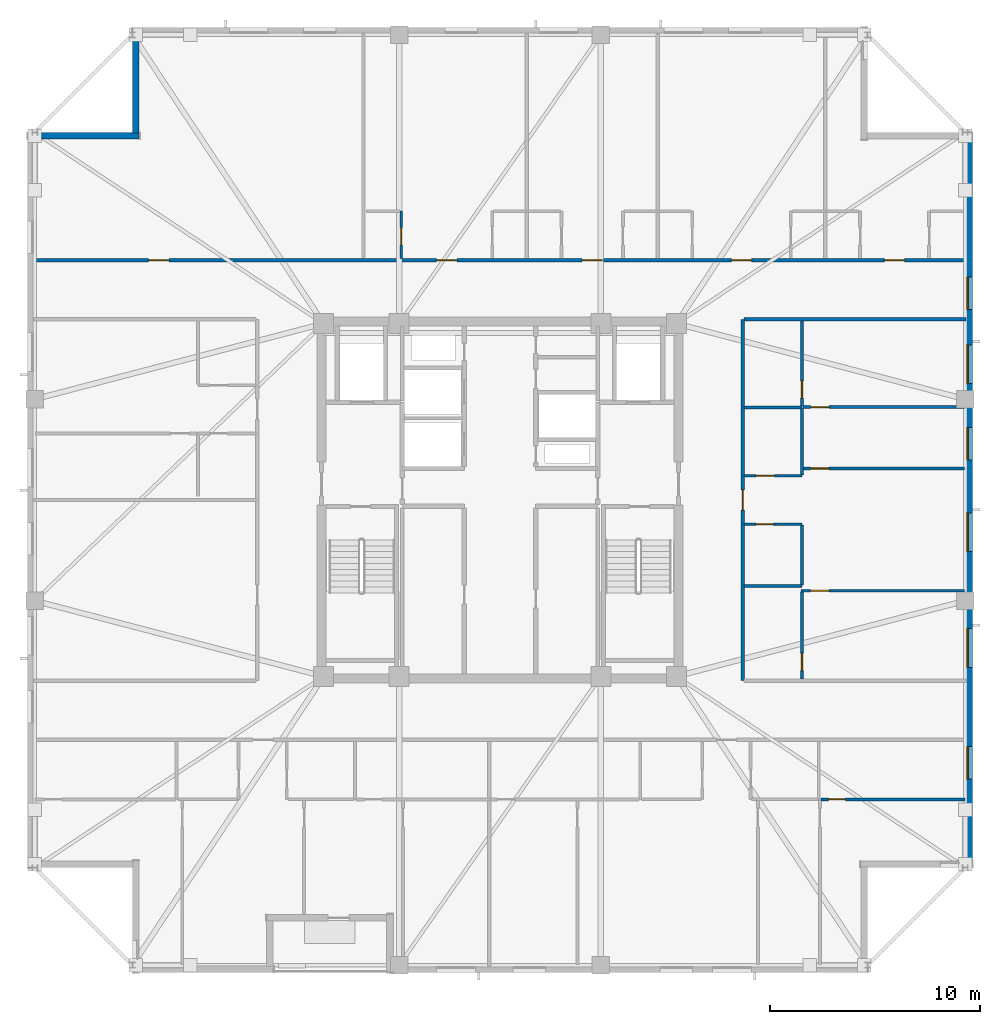
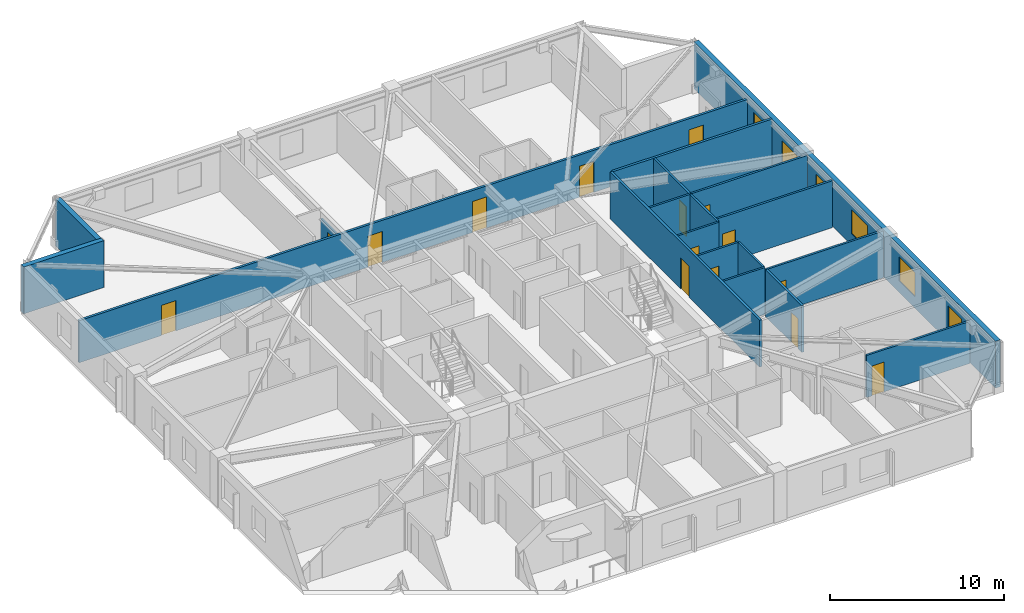
# One storey, part 10 of 15: 19 walls, 15 doors, 6 windows, 21 openings.
"""IFC4 building model written with IfcOpenShell, lengths in metres."""

from ifc_helpers import new_model, si_unit, direction, frame, frame_2d, origin, place, context, subcontext, project, spatial, rectangle, extrude, material, layer, layer_set, type_object, element, fill, save


model = new_model("IFC4")

# Units and contexts
model_context = context("Model", 3, precision=1e-05, world=origin(), true_north=direction((0.0, 1.0)))
body_context = subcontext(model_context, "Body", "Model", "MODEL_VIEW")
ifc_project = project(units=[si_unit("LENGTHUNIT", "METRE"), si_unit("AREAUNIT", "SQUARE_METRE"), si_unit("VOLUMEUNIT", "CUBIC_METRE"), si_unit("PLANEANGLEUNIT", "RADIAN"), si_unit("MASSUNIT", "GRAM", prefix="KILO")], contexts=[model_context])

# Site, building, storey
site_placement = place(None, origin())
site = spatial("IfcSite", under=ifc_project, at=site_placement, CompositionType="ELEMENT")
building_placement = place(site_placement, origin())
building = spatial("IfcBuilding", under=site, at=building_placement, Name="Cairnveth Concourse Tower", CompositionType="ELEMENT")
storey_placement = place(building_placement, frame((0.0, 0.0, 265.5)))
storey = spatial("IfcBuildingStorey", under=building, at=storey_placement, Name="L73", CompositionType="ELEMENT", Elevation=265.5)

# Wall, openings, doors
ifc_material_1 = material(Name="Gypsum Plasterboard Partition", Category="gypsum")
ifc_layer_1 = layer(ifc_material_1, 0.159912109375)
ifc_layer_set_1 = layer_set([ifc_layer_1], Name="Gypsum Plasterboard Partition")
wall_type_1 = type_object("IfcWallType", Name="ACOUSTIC PARTY WALL 180", PredefinedType="PARTITIONING", material=ifc_layer_set_1)
wall_1_placement = place(storey_placement, frame((29.804931640625, 50.422607421875, 0.0), z_axis=(0.0, 0.0, 1.0), x_axis=(1.0, 0.0, 0.0)))
wall_1 = element("IfcWall", 1, at=wall_1_placement, inside=storey, type_object=wall_type_1, Name="Interior Wall IW-L73-035", PredefinedType="PARTITIONING", context=body_context, shape_type="SweptSolid", body=[
    extrude(rectangle(XDim=44.39013671875, YDim=0.159912109375, at=frame_2d((22.195068359375, 0.0))), origin(), (0.0, 0.0, 1.0), 2.9580078125),
])
opening_1_placement = place(wall_1_placement, frame((5.465087890625, 0.0, 0.0)))
opening_1 = element("IfcOpeningElement", 2, at=opening_1_placement, cuts=wall_1, Name="Opening ID11", PredefinedType="OPENING", context=body_context, shape_type="SweptSolid", body=[
    extrude(rectangle(XDim=0.9599609375, YDim=2.1201171875, at=frame_2d((0.47998046875, 1.06005859375))), frame((0.0, 0.08984375, 0.0), z_axis=(0.0, -1.0, 0.0), x_axis=(1.0, 0.0, 0.0)), (0.0, 0.0, 1.0), 0.179931640625),
])
opening_2_placement = place(wall_1_placement, frame((19.1787109375, 0.0, 0.0)))
opening_2 = element("IfcOpeningElement", 3, at=opening_2_placement, cuts=wall_1, Name="Opening ID10", PredefinedType="OPENING", context=body_context, shape_type="SweptSolid", body=[
    extrude(rectangle(XDim=0.9599609375, YDim=2.179931640625, at=frame_2d((0.47998046875, 1.08984375))), frame((0.0, 0.08984375, 0.0), z_axis=(0.0, -1.0, 0.0), x_axis=(1.0, 0.0, 0.0)), (0.0, 0.0, 1.0), 0.179931640625),
])
opening_3_placement = place(wall_1_placement, frame((26.106201171875, 0.0, 0.0)))
opening_3 = element("IfcOpeningElement", 4, at=opening_3_placement, cuts=wall_1, Name="Opening ID10", PredefinedType="OPENING", context=body_context, shape_type="SweptSolid", body=[
    extrude(rectangle(XDim=0.9599609375, YDim=2.179931640625, at=frame_2d((0.47998046875, 1.08984375))), frame((0.0, 0.08984375, 0.0), z_axis=(0.0, -1.0, 0.0), x_axis=(1.0, 0.0, 0.0)), (0.0, 0.0, 1.0), 0.179931640625),
])
opening_4_placement = place(wall_1_placement, frame((33.2138671875, 0.0, 0.0)))
opening_4 = element("IfcOpeningElement", 5, at=opening_4_placement, cuts=wall_1, Name="Opening ID10", PredefinedType="OPENING", context=body_context, shape_type="SweptSolid", body=[
    extrude(rectangle(XDim=0.9599609375, YDim=2.179931640625, at=frame_2d((0.47998046875, 1.08984375))), frame((0.0, 0.08984375, 0.0), z_axis=(0.0, -1.0, 0.0), x_axis=(1.0, 0.0, 0.0)), (0.0, 0.0, 1.0), 0.179931640625),
])
opening_5_placement = place(wall_1_placement, frame((40.501220703125, 0.0, 0.0)))
opening_5 = element("IfcOpeningElement", 6, at=opening_5_placement, cuts=wall_1, Name="Opening ID10", PredefinedType="OPENING", context=body_context, shape_type="SweptSolid", body=[
    extrude(rectangle(XDim=0.9599609375, YDim=2.179931640625, at=frame_2d((0.47998046875, 1.08984375))), frame((0.0, 0.08984375, 0.0), z_axis=(0.0, -1.0, 0.0), x_axis=(1.0, 0.0, 0.0)), (0.0, 0.0, 1.0), 0.179931640625),
])
ifc_material_2 = material(Name="Solid Core Hardwood Timber Leaf", Category="wood")
door_type_1 = type_object("IfcDoorType", Name="FLAT ENTRANCE DOOR 960X2150", OperationType="NOTDEFINED", PredefinedType="DOOR", material=ifc_material_2)
door_1_placement = place(opening_2_placement, origin())
door_1 = element("IfcDoor", 7, at=door_1_placement, inside=storey, type_object=door_type_1, Name="Studio L73STN1 Entrance Door", OperationType="SINGLE_SWING_RIGHT", OverallHeight=2.179931640625, OverallWidth=0.9599609375, PredefinedType="DOOR", context=body_context, shape_type="SweptSolid", body=[
    extrude(rectangle(XDim=0.9599609375, YDim=2.179931640625, at=frame_2d((0.47998046875, 1.08984375))), frame((0.0, 0.02490234375, 0.0), z_axis=(0.0, -1.0, 0.0), x_axis=(1.0, 0.0, 0.0)), (0.0, 0.0, 1.0), 0.050048828125),
])
fill(opening_2, door_1)
door_2_placement = place(opening_3_placement, origin())
door_2 = element("IfcDoor", 8, at=door_2_placement, inside=storey, type_object=door_type_1, Name="Studio L73STN2 Entrance Door", OperationType="SINGLE_SWING_LEFT", OverallHeight=2.179931640625, OverallWidth=0.9599609375, PredefinedType="DOOR", context=body_context, shape_type="SweptSolid", body=[
    extrude(rectangle(XDim=0.9599609375, YDim=2.179931640625, at=frame_2d((0.47998046875, 1.08984375))), frame((0.0, 0.02490234375, 0.0), z_axis=(0.0, -1.0, 0.0), x_axis=(1.0, 0.0, 0.0)), (0.0, 0.0, 1.0), 0.050048828125),
])
fill(opening_3, door_2)
door_3_placement = place(opening_4_placement, origin())
door_3 = element("IfcDoor", 9, at=door_3_placement, inside=storey, type_object=door_type_1, Name="Studio L73STN3 Entrance Door", OperationType="SINGLE_SWING_RIGHT", OverallHeight=2.179931640625, OverallWidth=0.9599609375, PredefinedType="DOOR", context=body_context, shape_type="SweptSolid", body=[
    extrude(rectangle(XDim=0.9599609375, YDim=2.179931640625, at=frame_2d((0.47998046875, 1.08984375))), frame((0.0, 0.02490234375, 0.0), z_axis=(0.0, -1.0, 0.0), x_axis=(1.0, 0.0, 0.0)), (0.0, 0.0, 1.0), 0.050048828125),
])
fill(opening_4, door_3)
door_4_placement = place(opening_5_placement, origin())
door_4 = element("IfcDoor", 10, at=door_4_placement, inside=storey, type_object=door_type_1, Name="Studio L73STN4 Entrance Door", OperationType="SINGLE_SWING_LEFT", OverallHeight=2.179931640625, OverallWidth=0.9599609375, PredefinedType="DOOR", context=body_context, shape_type="SweptSolid", body=[
    extrude(rectangle(XDim=0.9599609375, YDim=2.179931640625, at=frame_2d((0.47998046875, 1.08984375))), frame((0.0, 0.02490234375, 0.0), z_axis=(0.0, -1.0, 0.0), x_axis=(1.0, 0.0, 0.0)), (0.0, 0.0, 1.0), 0.050048828125),
])
fill(opening_5, door_4)
door_type_2 = type_object("IfcDoorType", Name="INTERIOR SINGLE DOOR 960X2150", OperationType="NOTDEFINED", PredefinedType="DOOR", material=ifc_material_2)
door_5_placement = place(opening_1_placement, origin())
door_5 = element("IfcDoor", 11, at=door_5_placement, inside=storey, type_object=door_type_2, Name="Interior Door DR-L73-031", OperationType="SINGLE_SWING_LEFT", OverallHeight=2.1201171875, OverallWidth=0.9599609375, PredefinedType="DOOR", context=body_context, shape_type="SweptSolid", body=[
    extrude(rectangle(XDim=0.9599609375, YDim=2.1201171875, at=frame_2d((0.47998046875, 1.06005859375))), frame((0.0, 0.02490234375, 0.0), z_axis=(0.0, -1.0, 0.0), x_axis=(1.0, 0.0, 0.0)), (0.0, 0.0, 1.0), 0.050048828125),
])
fill(opening_1, door_5)

# Wall, opening, door
wall_2_placement = place(storey_placement, frame((63.550048828125, 30.39990234375, 0.0), z_axis=(0.0, 0.0, 1.0), x_axis=(0.0, 1.0, 0.0)))
wall_2 = element("IfcWall", 12, at=wall_2_placement, inside=storey, type_object=wall_type_1, Name="Interior Wall IW-L73-037", PredefinedType="PARTITIONING", context=body_context, shape_type="SweptSolid", body=[
    extrude(rectangle(XDim=17.2001953125, YDim=0.159912109375, at=frame_2d((8.60009765625, 0.0))), origin(), (0.0, 0.0, 1.0), 3.2900390625),
])
opening_6_placement = place(wall_2_placement, frame((8.1201171875, 0.0, 0.0)))
opening_6 = element("IfcOpeningElement", 13, at=opening_6_placement, cuts=wall_2, Name="Opening ID10", PredefinedType="OPENING", context=body_context, shape_type="SweptSolid", body=[
    extrude(rectangle(XDim=0.9599609375, YDim=2.179931640625, at=frame_2d((0.47998046875, 1.08984375))), frame((0.0, 0.08984375, 0.0), z_axis=(0.0, -1.0, 0.0), x_axis=(1.0, 0.0, 0.0)), (0.0, 0.0, 1.0), 0.179931640625),
])
door_6_placement = place(opening_6_placement, origin())
door_6 = element("IfcDoor", 14, at=door_6_placement, inside=storey, type_object=door_type_1, Name="Apartment L73E1 Entrance Door", OperationType="SINGLE_SWING_RIGHT", OverallHeight=2.179931640625, OverallWidth=0.9599609375, PredefinedType="DOOR", context=body_context, shape_type="SweptSolid", body=[
    extrude(rectangle(XDim=0.9599609375, YDim=2.179931640625, at=frame_2d((0.47998046875, 1.08984375))), frame((0.0, 0.02490234375, 0.0), z_axis=(0.0, -1.0, 0.0), x_axis=(1.0, 0.0, 0.0)), (0.0, 0.0, 1.0), 0.050048828125),
])
fill(opening_6, door_6)

# Wall
wall_3_placement = place(storey_placement, frame((63.614990234375, 47.60009765625, 0.0), z_axis=(0.0, 0.0, 1.0), x_axis=(1.0, 0.0, 0.0)))
element("IfcWall", 15, at=wall_3_placement, inside=storey, type_object=wall_type_1, Name="Interior Wall IW-L73-041", PredefinedType="PARTITIONING", context=body_context, shape_type="SweptSolid", body=[
    extrude(rectangle(XDim=10.580078125, YDim=0.159912109375, at=frame_2d((5.2900390625, 0.0))), origin(), (0.0, 0.0, 1.0), 3.2900390625),
])

# Wall, opening, door
ifc_layer_2 = layer(ifc_material_1, 0.139892578125)
ifc_layer_set_2 = layer_set([ifc_layer_2], Name="Gypsum Plasterboard Partition")
wall_type_2 = type_object("IfcWallType", Name="GYPSUM STUD PARTITION 140", PredefinedType="PARTITIONING", material=ifc_layer_set_2)
wall_4_placement = place(storey_placement, frame((67.284912109375, 24.74755859375, 0.0), z_axis=(0.0, 0.0, 1.0), x_axis=(1.0, 0.0, 0.0)))
wall_4 = element("IfcWall", 16, at=wall_4_placement, inside=storey, type_object=wall_type_2, Name="Interior Wall IW-L73-063", PredefinedType="PARTITIONING", context=body_context, shape_type="SweptSolid", body=[
    extrude(rectangle(XDim=6.844970703125, YDim=0.139892578125, at=frame_2d((3.42236328125, 0.0))), origin(), (0.0, 0.0, 1.0), 2.9580078125),
])
opening_7_placement = place(wall_4_placement, frame((0.344970703125, 0.0, 0.0)))
opening_7 = element("IfcOpeningElement", 17, at=opening_7_placement, cuts=wall_4, Name="Opening ID22", PredefinedType="OPENING", context=body_context, shape_type="SweptSolid", body=[
    extrude(rectangle(XDim=0.820068359375, YDim=2.10009765625, at=frame_2d((0.41015625, 1.050048828125))), frame((0.0, 0.079833984375, 0.0), z_axis=(0.0, -1.0, 0.0), x_axis=(1.0, 0.0, 0.0)), (0.0, 0.0, 1.0), 0.159912109375),
])
door_type_3 = type_object("IfcDoorType", Name="INTERIOR WC DOOR 820X2100", OperationType="NOTDEFINED", PredefinedType="DOOR", material=ifc_material_2)
door_7_placement = place(opening_7_placement, origin())
door_7 = element("IfcDoor", 18, at=door_7_placement, inside=storey, type_object=door_type_3, Name="L73S2 Utility Door", OperationType="SINGLE_SWING_LEFT", OverallHeight=2.10009765625, OverallWidth=0.820068359375, PredefinedType="DOOR", context=body_context, shape_type="SweptSolid", body=[
    extrude(rectangle(XDim=0.820068359375, YDim=2.10009765625, at=frame_2d((0.41015625, 1.050048828125))), frame((0.0, 0.02490234375, 0.0), z_axis=(0.0, -1.0, 0.0), x_axis=(1.0, 0.0, 0.0)), (0.0, 0.0, 1.0), 0.050048828125),
])
fill(opening_7, door_7)

wall_5_placement = place(storey_placement, frame((66.340087890625, 34.679931640625, 0.0), z_axis=(0.0, 0.0, 1.0), x_axis=(1.0, 0.0, 0.0)))
wall_5 = element("IfcWall", 19, at=wall_5_placement, inside=storey, type_object=wall_type_2, Name="Interior Wall IW-L73-097", PredefinedType="PARTITIONING", context=body_context, shape_type="SweptSolid", body=[
    extrude(rectangle(XDim=7.780029296875, YDim=0.139892578125, at=frame_2d((3.89013671875, 0.0))), origin(), (0.0, 0.0, 1.0), 3.2900390625),
])
opening_8_placement = place(wall_5_placement, frame((0.449951171875, 0.0, 0.0)))
opening_8 = element("IfcOpeningElement", 20, at=opening_8_placement, cuts=wall_5, Name="Opening ID18", PredefinedType="OPENING", context=body_context, shape_type="SweptSolid", body=[
    extrude(rectangle(XDim=0.8798828125, YDim=2.10009765625, at=frame_2d((0.43994140625, 1.050048828125))), frame((0.0, 0.079833984375, 0.0), z_axis=(0.0, -1.0, 0.0), x_axis=(1.0, 0.0, 0.0)), (0.0, 0.0, 1.0), 0.159912109375),
])
door_type_4 = type_object("IfcDoorType", Name="INTERIOR SINGLE DOOR 880X2100", OperationType="NOTDEFINED", PredefinedType="DOOR", material=ifc_material_2)
door_8_placement = place(opening_8_placement, origin())
door_8 = element("IfcDoor", 21, at=door_8_placement, inside=storey, type_object=door_type_4, Name="L73E1 Master Bedroom Door", OperationType="SINGLE_SWING_RIGHT", OverallHeight=2.10009765625, OverallWidth=0.8798828125, PredefinedType="DOOR", context=body_context, shape_type="SweptSolid", body=[
    extrude(rectangle(XDim=0.8798828125, YDim=2.10009765625, at=frame_2d((0.43994140625, 1.050048828125))), frame((0.0, 0.02490234375, 0.0), z_axis=(0.0, -1.0, 0.0), x_axis=(1.0, 0.0, 0.0)), (0.0, 0.0, 1.0), 0.050048828125),
])
fill(opening_8, door_8)

wall_6_placement = place(storey_placement, frame((66.3798828125, 30.465087890625, 0.0), z_axis=(0.0, 0.0, 1.0), x_axis=(0.0, 1.0, 0.0)))
wall_6 = element("IfcWall", 22, at=wall_6_placement, inside=storey, type_object=wall_type_2, Name="Interior Wall IW-L73-098", PredefinedType="PARTITIONING", context=body_context, shape_type="SweptSolid", body=[
    extrude(rectangle(XDim=4.159912109375, YDim=0.139892578125, at=frame_2d((2.080078125, 0.0))), origin(), (0.0, 0.0, 1.0), 3.2900390625),
])
opening_9_placement = place(wall_6_placement, frame((0.4150390625, 0.0, 0.0)))
opening_9 = element("IfcOpeningElement", 23, at=opening_9_placement, cuts=wall_6, Name="Opening ID22", PredefinedType="OPENING", context=body_context, shape_type="SweptSolid", body=[
    extrude(rectangle(XDim=0.820068359375, YDim=2.10009765625, at=frame_2d((0.41015625, 1.050048828125))), frame((0.0, 0.079833984375, 0.0), z_axis=(0.0, -1.0, 0.0), x_axis=(1.0, 0.0, 0.0)), (0.0, 0.0, 1.0), 0.159912109375),
])
door_9_placement = place(opening_9_placement, origin())
door_9 = element("IfcDoor", 24, at=door_9_placement, inside=storey, type_object=door_type_3, Name="L73E1 Dressing Door", OperationType="SINGLE_SWING_LEFT", OverallHeight=2.10009765625, OverallWidth=0.820068359375, PredefinedType="DOOR", context=body_context, shape_type="SweptSolid", body=[
    extrude(rectangle(XDim=0.820068359375, YDim=2.10009765625, at=frame_2d((0.41015625, 1.050048828125))), frame((0.0, 0.02490234375, 0.0), z_axis=(0.0, -1.0, 0.0), x_axis=(1.0, 0.0, 0.0)), (0.0, 0.0, 1.0), 0.050048828125),
])
fill(opening_9, door_9)

wall_7_placement = place(storey_placement, frame((66.429931640625, 43.419921875, 0.0), z_axis=(0.0, 0.0, 1.0), x_axis=(1.0, 0.0, 0.0)))
wall_7 = element("IfcWall", 25, at=wall_7_placement, inside=storey, type_object=wall_type_2, Name="Interior Wall IW-L73-099", PredefinedType="PARTITIONING", context=body_context, shape_type="SweptSolid", body=[
    extrude(rectangle(XDim=7.690185546875, YDim=0.139892578125, at=frame_2d((3.84521484375, 0.0))), origin(), (0.0, 0.0, 1.0), 3.2900390625),
])
opening_10_placement = place(wall_7_placement, frame((0.360107421875, 0.0, 0.0)))
opening_10 = element("IfcOpeningElement", 26, at=opening_10_placement, cuts=wall_7, Name="Opening ID18", PredefinedType="OPENING", context=body_context, shape_type="SweptSolid", body=[
    extrude(rectangle(XDim=0.8798828125, YDim=2.10009765625, at=frame_2d((0.43994140625, 1.050048828125))), frame((0.0, 0.079833984375, 0.0), z_axis=(0.0, -1.0, 0.0), x_axis=(1.0, 0.0, 0.0)), (0.0, 0.0, 1.0), 0.159912109375),
])
door_10_placement = place(opening_10_placement, origin())
door_10 = element("IfcDoor", 27, at=door_10_placement, inside=storey, type_object=door_type_4, Name="L73E1 Bedroom 2 Door", OperationType="SINGLE_SWING_RIGHT", OverallHeight=2.10009765625, OverallWidth=0.8798828125, PredefinedType="DOOR", context=body_context, shape_type="SweptSolid", body=[
    extrude(rectangle(XDim=0.8798828125, YDim=2.10009765625, at=frame_2d((0.43994140625, 1.050048828125))), frame((0.0, 0.02490234375, 0.0), z_axis=(0.0, -1.0, 0.0), x_axis=(1.0, 0.0, 0.0)), (0.0, 0.0, 1.0), 0.050048828125),
])
fill(opening_10, door_10)

wall_8_placement = place(storey_placement, frame((66.3798828125, 43.47509765625, 0.0), z_axis=(0.0, 0.0, 1.0), x_axis=(0.0, 1.0, 0.0)))
wall_8 = element("IfcWall", 28, at=wall_8_placement, inside=storey, type_object=wall_type_2, Name="Interior Wall IW-L73-100", PredefinedType="PARTITIONING", context=body_context, shape_type="SweptSolid", body=[
    extrude(rectangle(XDim=4.059814453125, YDim=0.139892578125, at=frame_2d((2.02978515625, 0.0))), origin(), (0.0, 0.0, 1.0), 3.2900390625),
])
opening_11_placement = place(wall_8_placement, frame((0.375, 0.0, 0.0)))
opening_11 = element("IfcOpeningElement", 29, at=opening_11_placement, cuts=wall_8, Name="Opening ID22", PredefinedType="OPENING", context=body_context, shape_type="SweptSolid", body=[
    extrude(rectangle(XDim=0.820068359375, YDim=2.10009765625, at=frame_2d((0.41015625, 1.050048828125))), frame((0.0, 0.079833984375, 0.0), z_axis=(0.0, -1.0, 0.0), x_axis=(1.0, 0.0, 0.0)), (0.0, 0.0, 1.0), 0.159912109375),
])
door_11_placement = place(opening_11_placement, origin())
door_11 = element("IfcDoor", 30, at=door_11_placement, inside=storey, type_object=door_type_3, Name="L73E1 Utility Door", OperationType="SINGLE_SWING_LEFT", OverallHeight=2.10009765625, OverallWidth=0.820068359375, PredefinedType="DOOR", context=body_context, shape_type="SweptSolid", body=[
    extrude(rectangle(XDim=0.820068359375, YDim=2.10009765625, at=frame_2d((0.41015625, 1.050048828125))), frame((0.0, 0.02490234375, 0.0), z_axis=(0.0, -1.0, 0.0), x_axis=(1.0, 0.0, 0.0)), (0.0, 0.0, 1.0), 0.050048828125),
])
fill(opening_11, door_11)

wall_9_placement = place(storey_placement, frame((66.429931640625, 40.5, 0.0), z_axis=(0.0, 0.0, 1.0), x_axis=(1.0, 0.0, 0.0)))
wall_9 = element("IfcWall", 31, at=wall_9_placement, inside=storey, type_object=wall_type_2, Name="Interior Wall IW-L73-101", PredefinedType="PARTITIONING", context=body_context, shape_type="SweptSolid", body=[
    extrude(rectangle(XDim=7.690185546875, YDim=0.139892578125, at=frame_2d((3.84521484375, 0.0))), origin(), (0.0, 0.0, 1.0), 3.2900390625),
])
opening_12_placement = place(wall_9_placement, frame((0.360107421875, 0.0, 0.0)))
opening_12 = element("IfcOpeningElement", 32, at=opening_12_placement, cuts=wall_9, Name="Opening ID18", PredefinedType="OPENING", context=body_context, shape_type="SweptSolid", body=[
    extrude(rectangle(XDim=0.8798828125, YDim=2.10009765625, at=frame_2d((0.43994140625, 1.050048828125))), frame((0.0, 0.079833984375, 0.0), z_axis=(0.0, -1.0, 0.0), x_axis=(1.0, 0.0, 0.0)), (0.0, 0.0, 1.0), 0.159912109375),
])
door_12_placement = place(opening_12_placement, origin())
door_12 = element("IfcDoor", 33, at=door_12_placement, inside=storey, type_object=door_type_4, Name="L73E1 Media Lounge Door", OperationType="SINGLE_SWING_LEFT", OverallHeight=2.10009765625, OverallWidth=0.8798828125, PredefinedType="DOOR", context=body_context, shape_type="SweptSolid", body=[
    extrude(rectangle(XDim=0.8798828125, YDim=2.10009765625, at=frame_2d((0.43994140625, 1.050048828125))), frame((0.0, 0.02490234375, 0.0), z_axis=(0.0, -1.0, 0.0), x_axis=(1.0, 0.0, 0.0)), (0.0, 0.0, 1.0), 0.050048828125),
])
fill(opening_12, door_12)

ifc_layer_3 = layer(ifc_material_1, 0.1298828125)
ifc_layer_set_3 = layer_set([ifc_layer_3], Name="Gypsum Plasterboard Partition")
wall_type_3 = type_object("IfcWallType", Name="WET AREA PARTITION 140", PredefinedType="PLUMBINGWALL", material=ifc_layer_set_3)
wall_10_placement = place(storey_placement, frame((47.300048828125, 50.50244140625, 0.0), z_axis=(0.0, 0.0, 1.0), x_axis=(0.0, 1.0, 0.0)))
wall_10 = element("IfcWall", 34, at=wall_10_placement, inside=storey, type_object=wall_type_3, Name="Interior Wall IW-L73-066", PredefinedType="PLUMBINGWALL", context=body_context, shape_type="SweptSolid", body=[
    extrude(rectangle(XDim=2.25, YDim=0.1298828125, at=frame_2d((1.125, 0.0))), origin(), (0.0, 0.0, 1.0), 2.572998046875),
])
opening_13_placement = place(wall_10_placement, frame((0.64990234375, 0.0, 0.0)))
opening_13 = element("IfcOpeningElement", 35, at=opening_13_placement, cuts=wall_10, Name="Opening ID22", PredefinedType="OPENING", context=body_context, shape_type="SweptSolid", body=[
    extrude(rectangle(XDim=0.820068359375, YDim=2.10009765625, at=frame_2d((0.41015625, 1.050048828125))), frame((0.0, 0.074951171875, 0.0), z_axis=(0.0, -1.0, 0.0), x_axis=(1.0, 0.0, 0.0)), (0.0, 0.0, 1.0), 0.14990234375),
])
door_13_placement = place(opening_13_placement, origin())
door_13 = element("IfcDoor", 36, at=door_13_placement, inside=storey, type_object=door_type_3, Name="L73STN1 Bathroom Door", OperationType="SINGLE_SWING_RIGHT", OverallHeight=2.10009765625, OverallWidth=0.820068359375, PredefinedType="DOOR", context=body_context, shape_type="SweptSolid", body=[
    extrude(rectangle(XDim=0.820068359375, YDim=2.10009765625, at=frame_2d((0.41015625, 1.050048828125))), frame((0.0, 0.02490234375, 0.0), z_axis=(0.0, -1.0, 0.0), x_axis=(1.0, 0.0, 0.0)), (0.0, 0.0, 1.0), 0.050048828125),
])
fill(opening_13, door_13)

# Wall
wall_11_placement = place(storey_placement, frame((63.6298828125, 34.89990234375, 0.0), z_axis=(0.0, 0.0, 1.0), x_axis=(1.0, 0.0, 0.0)))
element("IfcWall", 37, at=wall_11_placement, inside=storey, type_object=wall_type_3, Name="Interior Wall IW-L73-091", PredefinedType="PLUMBINGWALL", context=body_context, shape_type="SweptSolid", body=[
    extrude(rectangle(XDim=2.75, YDim=0.1298828125, at=frame_2d((1.375, 0.0))), origin(), (0.0, 0.0, 1.0), 3.2900390625),
])

# Wall, opening, door
wall_12_placement = place(storey_placement, frame((63.6298828125, 37.85009765625, 0.0), z_axis=(0.0, 0.0, 1.0), x_axis=(1.0, 0.0, 0.0)))
wall_12 = element("IfcWall", 38, at=wall_12_placement, inside=storey, type_object=wall_type_3, Name="Interior Wall IW-L73-092", PredefinedType="PLUMBINGWALL", context=body_context, shape_type="SweptSolid", body=[
    extrude(rectangle(XDim=2.75, YDim=0.1298828125, at=frame_2d((1.375, 0.0))), origin(), (0.0, 0.0, 1.0), 3.2900390625),
])
opening_14_placement = place(wall_12_placement, frame((0.550048828125, 0.0, 0.0)))
opening_14 = element("IfcOpeningElement", 39, at=opening_14_placement, cuts=wall_12, Name="Opening ID21", PredefinedType="OPENING", context=body_context, shape_type="SweptSolid", body=[
    extrude(rectangle(XDim=0.85009765625, YDim=2.080078125, at=frame_2d((0.425048828125, 1.0400390625))), frame((0.0, 0.074951171875, 0.0), z_axis=(0.0, -1.0, 0.0), x_axis=(1.0, 0.0, 0.0)), (0.0, 0.0, 1.0), 0.14990234375),
])
door_type_5 = type_object("IfcDoorType", Name="INTERIOR WC DOOR 850X2100", OperationType="NOTDEFINED", PredefinedType="DOOR", material=ifc_material_2)
door_14_placement = place(opening_14_placement, origin())
door_14 = element("IfcDoor", 40, at=door_14_placement, inside=storey, type_object=door_type_5, Name="L73E1 Bathroom Door", OperationType="SINGLE_SWING_LEFT", OverallHeight=2.080078125, OverallWidth=0.85009765625, PredefinedType="DOOR", context=body_context, shape_type="SweptSolid", body=[
    extrude(rectangle(XDim=0.85009765625, YDim=2.080078125, at=frame_2d((0.425048828125, 1.0400390625))), frame((0.0, 0.02490234375, 0.0), z_axis=(0.0, -1.0, 0.0), x_axis=(1.0, 0.0, 0.0)), (0.0, 0.0, 1.0), 0.050048828125),
])
fill(opening_14, door_14)

# Walls
wall_13_placement = place(storey_placement, frame((66.3798828125, 34.949951171875, 0.0), z_axis=(0.0, 0.0, 1.0), x_axis=(0.0, 1.0, 0.0)))
element("IfcWall", 41, at=wall_13_placement, inside=storey, type_object=wall_type_3, Name="Interior Wall IW-L73-093", PredefinedType="PLUMBINGWALL", context=body_context, shape_type="SweptSolid", body=[
    extrude(rectangle(XDim=2.85009765625, YDim=0.1298828125, at=frame_2d((1.425048828125, 0.0))), origin(), (0.0, 0.0, 1.0), 3.2900390625),
])
wall_14_placement = place(storey_placement, frame((63.6298828125, 43.39990234375, 0.0), z_axis=(0.0, 0.0, 1.0), x_axis=(1.0, 0.0, 0.0)))
element("IfcWall", 42, at=wall_14_placement, inside=storey, type_object=wall_type_3, Name="Interior Wall IW-L73-094", PredefinedType="PLUMBINGWALL", context=body_context, shape_type="SweptSolid", body=[
    extrude(rectangle(XDim=2.75, YDim=0.1298828125, at=frame_2d((1.375, 0.0))), origin(), (0.0, 0.0, 1.0), 3.2900390625),
])

# Wall, opening, door
wall_15_placement = place(storey_placement, frame((63.6298828125, 40.14990234375, 0.0), z_axis=(0.0, 0.0, 1.0), x_axis=(1.0, 0.0, 0.0)))
wall_15 = element("IfcWall", 43, at=wall_15_placement, inside=storey, type_object=wall_type_3, Name="Interior Wall IW-L73-095", PredefinedType="PLUMBINGWALL", context=body_context, shape_type="SweptSolid", body=[
    extrude(rectangle(XDim=2.75, YDim=0.1298828125, at=frame_2d((1.375, 0.0))), origin(), (0.0, 0.0, 1.0), 3.2900390625),
])
opening_15_placement = place(wall_15_placement, frame((0.550048828125, 0.0, 0.0)))
opening_15 = element("IfcOpeningElement", 44, at=opening_15_placement, cuts=wall_15, Name="Opening ID18", PredefinedType="OPENING", context=body_context, shape_type="SweptSolid", body=[
    extrude(rectangle(XDim=0.8798828125, YDim=2.10009765625, at=frame_2d((0.43994140625, 1.050048828125))), frame((0.0, 0.074951171875, 0.0), z_axis=(0.0, -1.0, 0.0), x_axis=(1.0, 0.0, 0.0)), (0.0, 0.0, 1.0), 0.14990234375),
])
door_15_placement = place(opening_15_placement, origin())
door_15 = element("IfcDoor", 45, at=door_15_placement, inside=storey, type_object=door_type_4, Name="L73E1 Kitchen Door", OperationType="SINGLE_SWING_RIGHT", OverallHeight=2.10009765625, OverallWidth=0.8798828125, PredefinedType="DOOR", context=body_context, shape_type="SweptSolid", body=[
    extrude(rectangle(XDim=0.8798828125, YDim=2.10009765625, at=frame_2d((0.43994140625, 1.050048828125))), frame((0.0, 0.02490234375, 0.0), z_axis=(0.0, -1.0, 0.0), x_axis=(1.0, 0.0, 0.0)), (0.0, 0.0, 1.0), 0.050048828125),
])
fill(opening_15, door_15)

# Walls
wall_16_placement = place(storey_placement, frame((66.3798828125, 40.199951171875, 0.0), z_axis=(0.0, 0.0, 1.0), x_axis=(0.0, 1.0, 0.0)))
element("IfcWall", 46, at=wall_16_placement, inside=storey, type_object=wall_type_3, Name="Interior Wall IW-L73-096", PredefinedType="PLUMBINGWALL", context=body_context, shape_type="SweptSolid", body=[
    extrude(rectangle(XDim=3.150146484375, YDim=0.1298828125, at=frame_2d((1.5751953125, 0.0))), origin(), (0.0, 0.0, 1.0), 3.2900390625),
])
ifc_material_3 = material(Name="Melbourne Buff Fired Clay Brick Masonry", Category="masonry")
ifc_layer_4 = layer(ifc_material_3, 0.320068359375)
ifc_layer_set_4 = layer_set([ifc_layer_4], Name="Melbourne Buff Fired Clay Brick Masonry")
wall_type_4 = type_object("IfcWallType", Name="ZONE 3 BRICK PIER SPANDREL WALL 320", PredefinedType="SOLIDWALL", material=ifc_layer_set_4)
wall_17_placement = place(storey_placement, frame((29.5, 56.340087890625, 0.0), z_axis=(0.0, 0.0, 1.0), x_axis=(1.0, 0.0, 0.0)))
element("IfcWall", 47, at=wall_17_placement, inside=storey, type_object=wall_type_4, Name="Exterior Wall EW-L73-S04", PredefinedType="SOLIDWALL", context=body_context, shape_type="SweptSolid", body=[
    extrude(rectangle(XDim=5.320068359375, YDim=0.320068359375, at=frame_2d((2.66015625, 0.0))), origin(), (0.0, 0.0, 1.0), 3.2900390625),
])
wall_18_placement = place(storey_placement, frame((34.659912109375, 56.47802734375, 0.0), z_axis=(0.0, 0.0, 1.0), x_axis=(0.0, 1.0, 0.0)))
element("IfcWall", 48, at=wall_18_placement, inside=storey, type_object=wall_type_4, Name="Exterior Wall EW-L73-S05", PredefinedType="SOLIDWALL", context=body_context, shape_type="SweptSolid", body=[
    extrude(rectangle(XDim=4.723876953125, YDim=0.320068359375, at=frame_2d((2.36181640625, 0.0))), origin(), (0.0, 0.0, 1.0), 3.2900390625),
])

# Wall, openings, windows
wall_19_placement = place(storey_placement, frame((74.340087890625, 56.5, 0.0), z_axis=(0.0, 0.0, 1.0), x_axis=(0.0, -1.0, 0.0)))
wall_19 = element("IfcWall", 49, at=wall_19_placement, inside=storey, type_object=wall_type_4, Name="Exterior Wall EW-L73-S09", PredefinedType="SOLIDWALL", context=body_context, shape_type="SweptSolid", body=[
    extrude(rectangle(XDim=34.701904296875, YDim=0.320068359375, at=frame_2d((17.35107421875, 0.0))), origin(), (0.0, 0.0, 1.0), 3.2900390625),
])
opening_16_placement = place(wall_19_placement, frame((6.887939453125, 0.0, 0.800048828125)))
opening_16 = element("IfcOpeningElement", 50, at=opening_16_placement, cuts=wall_19, Name="Opening W07", PredefinedType="OPENING", context=body_context, shape_type="SweptSolid", body=[
    extrude(rectangle(XDim=1.550048828125, YDim=1.677978515625, at=frame_2d((0.77490234375, 0.8388671875))), frame((0.0, 0.169921875, 0.0), z_axis=(0.0, -1.0, 0.0), x_axis=(1.0, 0.0, 0.0)), (0.0, 0.0, 1.0), 0.340087890625),
])
opening_17_placement = place(wall_19_placement, frame((10.113037109375, 0.0, 0.800048828125)))
opening_17 = element("IfcOpeningElement", 51, at=opening_17_placement, cuts=wall_19, Name="Opening W08", PredefinedType="OPENING", context=body_context, shape_type="SweptSolid", body=[
    extrude(rectangle(XDim=1.85009765625, YDim=1.677978515625, at=frame_2d((0.925048828125, 0.8388671875))), frame((0.0, 0.169921875, 0.0), z_axis=(0.0, -1.0, 0.0), x_axis=(1.0, 0.0, 0.0)), (0.0, 0.0, 1.0), 0.340087890625),
])
opening_18_placement = place(wall_19_placement, frame((14.038330078125, 0.0, 0.800048828125)))
opening_18 = element("IfcOpeningElement", 52, at=opening_18_placement, cuts=wall_19, Name="Opening W07", PredefinedType="OPENING", context=body_context, shape_type="SweptSolid", body=[
    extrude(rectangle(XDim=1.550048828125, YDim=1.677978515625, at=frame_2d((0.77490234375, 0.8388671875))), frame((0.0, 0.169921875, 0.0), z_axis=(0.0, -1.0, 0.0), x_axis=(1.0, 0.0, 0.0)), (0.0, 0.0, 1.0), 0.340087890625),
])
opening_19_placement = place(wall_19_placement, frame((18.113525390625, 0.0, 0.800048828125)))
opening_19 = element("IfcOpeningElement", 53, at=opening_19_placement, cuts=wall_19, Name="Opening W08", PredefinedType="OPENING", context=body_context, shape_type="SweptSolid", body=[
    extrude(rectangle(XDim=1.85009765625, YDim=1.677978515625, at=frame_2d((0.925048828125, 0.8388671875))), frame((0.0, 0.169921875, 0.0), z_axis=(0.0, -1.0, 0.0), x_axis=(1.0, 0.0, 0.0)), (0.0, 0.0, 1.0), 0.340087890625),
])
opening_20_placement = place(wall_19_placement, frame((23.614013671875, 0.0, 0.800048828125)))
opening_20 = element("IfcOpeningElement", 54, at=opening_20_placement, cuts=wall_19, Name="Opening W08", PredefinedType="OPENING", context=body_context, shape_type="SweptSolid", body=[
    extrude(rectangle(XDim=1.85009765625, YDim=1.677978515625, at=frame_2d((0.925048828125, 0.8388671875))), frame((0.0, 0.169921875, 0.0), z_axis=(0.0, -1.0, 0.0), x_axis=(1.0, 0.0, 0.0)), (0.0, 0.0, 1.0), 0.340087890625),
])
opening_21_placement = place(wall_19_placement, frame((29.239501953125, 0.0, 0.800048828125)))
opening_21 = element("IfcOpeningElement", 55, at=opening_21_placement, cuts=wall_19, Name="Opening W07", PredefinedType="OPENING", context=body_context, shape_type="SweptSolid", body=[
    extrude(rectangle(XDim=1.550048828125, YDim=1.677978515625, at=frame_2d((0.77490234375, 0.8388671875))), frame((0.0, 0.169921875, 0.0), z_axis=(0.0, -1.0, 0.0), x_axis=(1.0, 0.0, 0.0)), (0.0, 0.0, 1.0), 0.340087890625),
])
ifc_material_4 = material(Name="Double Glazed Low-E Clear Glass", Category="glass")
window_type_1 = type_object("IfcWindowType", Name="DEEP-SET APARTMENT LIVING WINDOW 1850X1850", PartitioningType="DOUBLE_PANEL_VERTICAL", PredefinedType="WINDOW", material=ifc_material_4)
window_1_placement = place(opening_17_placement, origin())
window_1 = element("IfcWindow", 56, at=window_1_placement, inside=storey, type_object=window_type_1, Name="Gothic Lancet Window L73-9-3", OverallHeight=1.677978515625, OverallWidth=1.85009765625, PartitioningType="SINGLE_PANEL", PredefinedType="WINDOW", context=body_context, shape_type="SweptSolid", body=[
    extrude(rectangle(XDim=1.85009765625, YDim=1.677978515625, at=frame_2d((0.925048828125, 0.8388671875))), frame((0.0, -0.050048828125, 0.0), z_axis=(0.0, -1.0, 0.0), x_axis=(1.0, 0.0, 0.0)), (0.0, 0.0, 1.0), 0.06005859375),
])
fill(opening_17, window_1)
window_2_placement = place(opening_19_placement, origin())
window_2 = element("IfcWindow", 57, at=window_2_placement, inside=storey, type_object=window_type_1, Name="Gothic Lancet Window L73-9-5", OverallHeight=1.677978515625, OverallWidth=1.85009765625, PartitioningType="SINGLE_PANEL", PredefinedType="WINDOW", context=body_context, shape_type="SweptSolid", body=[
    extrude(rectangle(XDim=1.85009765625, YDim=1.677978515625, at=frame_2d((0.925048828125, 0.8388671875))), frame((0.0, -0.050048828125, 0.0), z_axis=(0.0, -1.0, 0.0), x_axis=(1.0, 0.0, 0.0)), (0.0, 0.0, 1.0), 0.06005859375),
])
fill(opening_19, window_2)
window_3_placement = place(opening_20_placement, origin())
window_3 = element("IfcWindow", 58, at=window_3_placement, inside=storey, type_object=window_type_1, Name="Gothic Lancet Window L73-9-7", OverallHeight=1.677978515625, OverallWidth=1.85009765625, PartitioningType="SINGLE_PANEL", PredefinedType="WINDOW", context=body_context, shape_type="SweptSolid", body=[
    extrude(rectangle(XDim=1.85009765625, YDim=1.677978515625, at=frame_2d((0.925048828125, 0.8388671875))), frame((0.0, -0.050048828125, 0.0), z_axis=(0.0, -1.0, 0.0), x_axis=(1.0, 0.0, 0.0)), (0.0, 0.0, 1.0), 0.06005859375),
])
fill(opening_20, window_3)
window_type_2 = type_object("IfcWindowType", Name="DEEP-SET APARTMENT WINDOW 1550X1800", PartitioningType="DOUBLE_PANEL_VERTICAL", PredefinedType="WINDOW", material=ifc_material_4)
window_4_placement = place(opening_16_placement, origin())
window_4 = element("IfcWindow", 59, at=window_4_placement, inside=storey, type_object=window_type_2, Name="Gothic Lancet Window L73-9-2", OverallHeight=1.677978515625, OverallWidth=1.550048828125, PartitioningType="SINGLE_PANEL", PredefinedType="WINDOW", context=body_context, shape_type="SweptSolid", body=[
    extrude(rectangle(XDim=1.550048828125, YDim=1.677978515625, at=frame_2d((0.77490234375, 0.8388671875))), frame((0.0, -0.050048828125, 0.0), z_axis=(0.0, -1.0, 0.0), x_axis=(1.0, 0.0, 0.0)), (0.0, 0.0, 1.0), 0.06005859375),
])
fill(opening_16, window_4)
window_5_placement = place(opening_18_placement, origin())
window_5 = element("IfcWindow", 60, at=window_5_placement, inside=storey, type_object=window_type_2, Name="Gothic Lancet Window L73-9-4", OverallHeight=1.677978515625, OverallWidth=1.550048828125, PartitioningType="SINGLE_PANEL", PredefinedType="WINDOW", context=body_context, shape_type="SweptSolid", body=[
    extrude(rectangle(XDim=1.550048828125, YDim=1.677978515625, at=frame_2d((0.77490234375, 0.8388671875))), frame((0.0, -0.050048828125, 0.0), z_axis=(0.0, -1.0, 0.0), x_axis=(1.0, 0.0, 0.0)), (0.0, 0.0, 1.0), 0.06005859375),
])
fill(opening_18, window_5)
window_6_placement = place(opening_21_placement, origin())
window_6 = element("IfcWindow", 61, at=window_6_placement, inside=storey, type_object=window_type_2, Name="Gothic Lancet Window L73-9-8", OverallHeight=1.677978515625, OverallWidth=1.550048828125, PartitioningType="SINGLE_PANEL", PredefinedType="WINDOW", context=body_context, shape_type="SweptSolid", body=[
    extrude(rectangle(XDim=1.550048828125, YDim=1.677978515625, at=frame_2d((0.77490234375, 0.8388671875))), frame((0.0, -0.050048828125, 0.0), z_axis=(0.0, -1.0, 0.0), x_axis=(1.0, 0.0, 0.0)), (0.0, 0.0, 1.0), 0.06005859375),
])
fill(opening_21, window_6)

save(model, "model.ifc")
